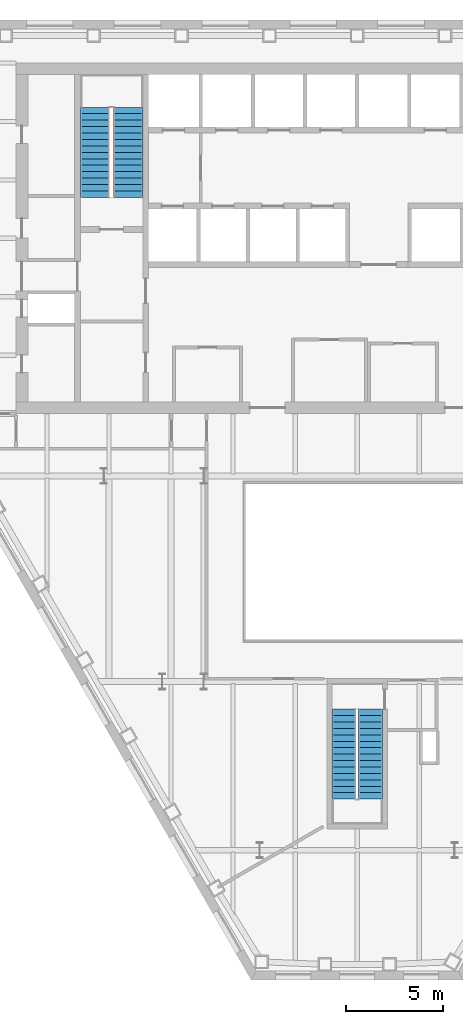
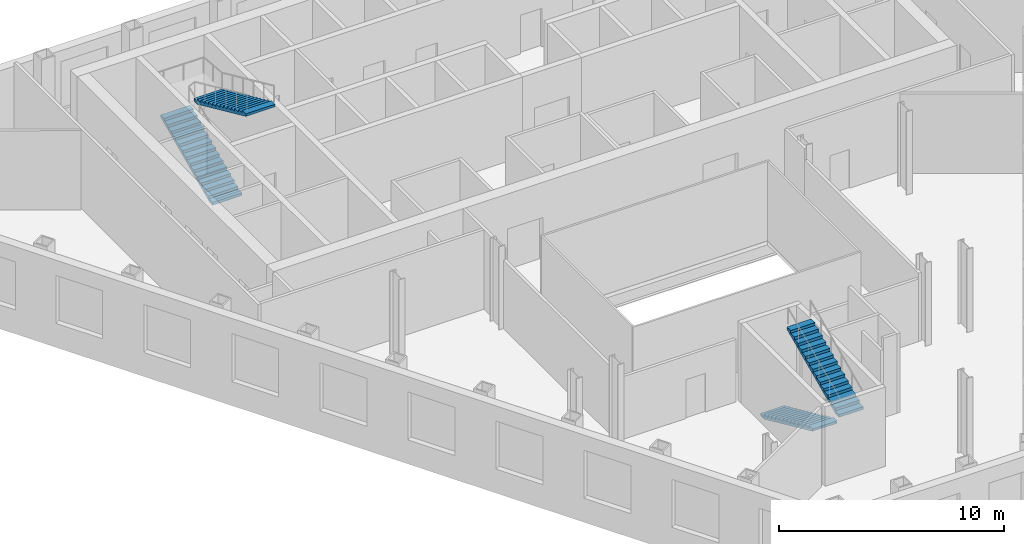
# One storey, part 8 of 10: 4 stair flights, 2 elements without a shape of their own.
"""IFC4 building model written with IfcOpenShell, lengths in metres."""

from ifc_helpers import new_model, si_unit, direction, frame, origin, place, context, subcontext, project, spatial, polygons, material, type_object, element, aggregate, save


model = new_model("IFC4")

# Units and contexts
model_context = context("Model", 3, precision=1e-05, world=origin(), true_north=direction((0.0, 1.0)))
body_context = subcontext(model_context, "Body", "Model", "MODEL_VIEW")
ifc_project = project(units=[si_unit("LENGTHUNIT", "METRE"), si_unit("AREAUNIT", "SQUARE_METRE"), si_unit("VOLUMEUNIT", "CUBIC_METRE"), si_unit("PLANEANGLEUNIT", "RADIAN"), si_unit("MASSUNIT", "GRAM", prefix="KILO")], contexts=[model_context])

# Site, building, storey
site_placement = place(None, origin())
site = spatial("IfcSite", under=ifc_project, at=site_placement, CompositionType="ELEMENT")
building_placement = place(site_placement, origin())
building = spatial("IfcBuilding", under=site, at=building_placement, Name="Njiva Tower", CompositionType="ELEMENT")
storey_placement = place(building_placement, frame((0.0, 0.0, 73.8)))
storey = spatial("IfcBuildingStorey", under=building, at=storey_placement, Name="L15", CompositionType="ELEMENT", Elevation=73.8)

# Stair, stair flights
ifc_material = material(Name="Concrete C40/50", Category="concrete")
stair_type_1 = type_object("IfcStairType", Name="ST1 Exit stair 1250", PredefinedType="HALF_TURN_STAIR", material=ifc_material)
stair_1_placement = place(storey_placement, origin())
stair_1 = element("IfcStair", 1, at=stair_1_placement, inside=storey, type_object=stair_type_1, Name="Stair C", PredefinedType="HALF_TURN_STAIR")
stair_flight_type_1 = type_object("IfcStairFlightType", Name="FL1 Stair flight 1250", PredefinedType="STRAIGHT", material=ifc_material)
stair_flight_1_placement = place(storey_placement, frame((-0.675, -15.16, 0.0), z_axis=(0.0, 0.0, 1.0), x_axis=(0.0, -1.0, 0.0)))
stair_flight_1 = element("IfcStairFlight", 2, at=stair_flight_1_placement, type_object=stair_flight_type_1, Name="ST-C flight 1", NumberOfRisers=15, NumberOfTreads=14, PredefinedType="STRAIGHT", RiserHeight=0.15, TreadLength=0.33, context=body_context, shape_type="Tessellation", body=[
    polygons([(0.0, 0.625, 0.0), (0.0, 0.3125, 0.0), (0.0, 0.0, 0.0), (0.0, -0.3125, 0.0), (0.0, -0.625, 0.0), (0.0, 0.625, 0.15), (0.0, 0.3125, 0.15), (0.0, 0.0, 0.15), (0.0, -0.3125, 0.15), (0.0, -0.625, 0.15), (0.33, 0.625, 0.15), (0.33, 0.3125, 0.15), (0.33, 0.0, 0.15), (0.33, -0.3125, 0.15), (0.33, -0.625, 0.15), (0.33, 0.625, 0.3), (0.33, 0.3125, 0.3), (0.33, 0.0, 0.3), (0.33, -0.3125, 0.3), (0.33, -0.625, 0.3), (0.66, 0.625, 0.3), (0.66, 0.3125, 0.3), (0.66, 0.0, 0.3), (0.66, -0.3125, 0.3), (0.66, -0.625, 0.3), (0.66, 0.625, 0.45), (0.66, 0.3125, 0.45), (0.66, 0.0, 0.45), (0.66, -0.3125, 0.45), (0.66, -0.625, 0.45), (0.99, 0.625, 0.45), (0.99, 0.3125, 0.45), (0.99, 0.0, 0.45), (0.99, -0.3125, 0.45), (0.99, -0.625, 0.45), (0.99, 0.625, 0.6), (0.99, 0.3125, 0.6), (0.99, 0.0, 0.6), (0.99, -0.3125, 0.6), (0.99, -0.625, 0.6), (1.32, 0.625, 0.6), (1.32, 0.3125, 0.6), (1.32, 0.0, 0.6), (1.32, -0.3125, 0.6), (1.32, -0.625, 0.6), (1.32, 0.625, 0.75), (1.32, 0.3125, 0.75), (1.32, 0.0, 0.75), (1.32, -0.3125, 0.75), (1.32, -0.625, 0.75), (1.65, 0.625, 0.75), (1.65, 0.3125, 0.75), (1.65, 0.0, 0.75), (1.65, -0.3125, 0.75), (1.65, -0.625, 0.75), (1.65, 0.625, 0.9), (1.65, 0.3125, 0.9), (1.65, 0.0, 0.9), (1.65, -0.3125, 0.9), (1.65, -0.625, 0.9), (1.98, 0.625, 0.9), (1.98, 0.3125, 0.9), (1.98, 0.0, 0.9), (1.98, -0.3125, 0.9), (1.98, -0.625, 0.9), (1.98, 0.625, 1.05), (1.98, 0.3125, 1.05), (1.98, 0.0, 1.05), (1.98, -0.3125, 1.05), (1.98, -0.625, 1.05), (2.31, 0.625, 1.05), (2.31, 0.3125, 1.05), (2.31, 0.0, 1.05), (2.31, -0.3125, 1.05), (2.31, -0.625, 1.05), (2.31, 0.625, 1.2), (2.31, 0.3125, 1.2), (2.31, 0.0, 1.2), (2.31, -0.3125, 1.2), (2.31, -0.625, 1.2), (2.64, 0.625, 1.2), (2.64, 0.3125, 1.2), (2.64, 0.0, 1.2), (2.64, -0.3125, 1.2), (2.64, -0.625, 1.2), (2.64, 0.625, 1.35), (2.64, 0.3125, 1.35), (2.64, 0.0, 1.35), (2.64, -0.3125, 1.35), (2.64, -0.625, 1.35), (2.97, 0.625, 1.35), (2.97, 0.3125, 1.35), (2.97, 0.0, 1.35), (2.97, -0.3125, 1.35), (2.97, -0.625, 1.35), (2.97, 0.625, 1.5), (2.97, 0.3125, 1.5), (2.97, 0.0, 1.5), (2.97, -0.3125, 1.5), (2.97, -0.625, 1.5), (3.3, 0.625, 1.5), (3.3, 0.3125, 1.5), (3.3, 0.0, 1.5), (3.3, -0.3125, 1.5), (3.3, -0.625, 1.5), (3.3, 0.625, 1.65), (3.3, 0.3125, 1.65), (3.3, 0.0, 1.65), (3.3, -0.3125, 1.65), (3.3, -0.625, 1.65), (3.63, 0.625, 1.65), (3.63, 0.3125, 1.65), (3.63, 0.0, 1.65), (3.63, -0.3125, 1.65), (3.63, -0.625, 1.65), (3.63, 0.625, 1.8), (3.63, 0.3125, 1.8), (3.63, 0.0, 1.8), (3.63, -0.3125, 1.8), (3.63, -0.625, 1.8), (3.96, 0.625, 1.8), (3.96, 0.3125, 1.8), (3.96, 0.0, 1.8), (3.96, -0.3125, 1.8), (3.96, -0.625, 1.8), (3.96, 0.625, 1.95), (3.96, 0.3125, 1.95), (3.96, 0.0, 1.95), (3.96, -0.3125, 1.95), (3.96, -0.625, 1.95), (4.29, 0.625, 1.95), (4.29, 0.3125, 1.95), (4.29, 0.0, 1.95), (4.29, -0.3125, 1.95), (4.29, -0.625, 1.95), (4.29, 0.625, 2.1), (4.29, 0.3125, 2.1), (4.29, 0.0, 2.1), (4.29, -0.3125, 2.1), (4.29, -0.625, 2.1), (4.62, 0.625, 2.1), (4.62, 0.3125, 2.1), (4.62, 0.0, 2.1), (4.62, -0.3125, 2.1), (4.62, -0.625, 2.1), (4.62, 0.625, 1.9682), (4.62, 0.3125, 1.9682), (4.62, 0.0, 1.9682), (4.62, -0.3125, 1.9682), (4.62, -0.625, 1.9682), (0.29, 0.625, 0.0), (0.29, 0.3125, 0.0), (0.29, 0.0, 0.0), (0.29, -0.3125, 0.0), (0.29, -0.625, 0.0)], [[[1, 6, 11, 16, 21, 26, 31, 36, 41, 46, 51, 56, 61, 66, 71, 76, 81, 86, 91, 96, 101, 106, 111, 116, 121, 126, 131, 136, 141, 146, 151]], [[155, 150, 145, 140, 135, 130, 125, 120, 115, 110, 105, 100, 95, 90, 85, 80, 75, 70, 65, 60, 55, 50, 45, 40, 35, 30, 25, 20, 15, 10, 5]], [[6, 1, 2, 7]], [[7, 2, 3, 8]], [[8, 3, 4, 9]], [[9, 4, 5, 10]], [[11, 6, 7, 12]], [[12, 7, 8, 13]], [[13, 8, 9, 14]], [[14, 9, 10, 15]], [[16, 11, 12, 17]], [[17, 12, 13, 18]], [[18, 13, 14, 19]], [[19, 14, 15, 20]], [[21, 16, 17, 22]], [[22, 17, 18, 23]], [[23, 18, 19, 24]], [[24, 19, 20, 25]], [[26, 21, 22, 27]], [[27, 22, 23, 28]], [[28, 23, 24, 29]], [[29, 24, 25, 30]], [[31, 26, 27, 32]], [[32, 27, 28, 33]], [[33, 28, 29, 34]], [[34, 29, 30, 35]], [[36, 31, 32, 37]], [[37, 32, 33, 38]], [[38, 33, 34, 39]], [[39, 34, 35, 40]], [[41, 36, 37, 42]], [[42, 37, 38, 43]], [[43, 38, 39, 44]], [[44, 39, 40, 45]], [[46, 41, 42, 47]], [[47, 42, 43, 48]], [[48, 43, 44, 49]], [[49, 44, 45, 50]], [[51, 46, 47, 52]], [[52, 47, 48, 53]], [[53, 48, 49, 54]], [[54, 49, 50, 55]], [[56, 51, 52, 57]], [[57, 52, 53, 58]], [[58, 53, 54, 59]], [[59, 54, 55, 60]], [[61, 56, 57, 62]], [[62, 57, 58, 63]], [[63, 58, 59, 64]], [[64, 59, 60, 65]], [[66, 61, 62, 67]], [[67, 62, 63, 68]], [[68, 63, 64, 69]], [[69, 64, 65, 70]], [[71, 66, 67, 72]], [[72, 67, 68, 73]], [[73, 68, 69, 74]], [[74, 69, 70, 75]], [[76, 71, 72, 77]], [[77, 72, 73, 78]], [[78, 73, 74, 79]], [[79, 74, 75, 80]], [[81, 76, 77, 82]], [[82, 77, 78, 83]], [[83, 78, 79, 84]], [[84, 79, 80, 85]], [[86, 81, 82, 87]], [[87, 82, 83, 88]], [[88, 83, 84, 89]], [[89, 84, 85, 90]], [[91, 86, 87, 92]], [[92, 87, 88, 93]], [[93, 88, 89, 94]], [[94, 89, 90, 95]], [[96, 91, 92, 97]], [[97, 92, 93, 98]], [[98, 93, 94, 99]], [[99, 94, 95, 100]], [[101, 96, 97, 102]], [[102, 97, 98, 103]], [[103, 98, 99, 104]], [[104, 99, 100, 105]], [[106, 101, 102, 107]], [[107, 102, 103, 108]], [[108, 103, 104, 109]], [[109, 104, 105, 110]], [[111, 106, 107, 112]], [[112, 107, 108, 113]], [[113, 108, 109, 114]], [[114, 109, 110, 115]], [[116, 111, 112, 117]], [[117, 112, 113, 118]], [[118, 113, 114, 119]], [[119, 114, 115, 120]], [[121, 116, 117, 122]], [[122, 117, 118, 123]], [[123, 118, 119, 124]], [[124, 119, 120, 125]], [[126, 121, 122, 127]], [[127, 122, 123, 128]], [[128, 123, 124, 129]], [[129, 124, 125, 130]], [[131, 126, 127, 132]], [[132, 127, 128, 133]], [[133, 128, 129, 134]], [[134, 129, 130, 135]], [[136, 131, 132, 137]], [[137, 132, 133, 138]], [[138, 133, 134, 139]], [[139, 134, 135, 140]], [[141, 136, 137, 142]], [[142, 137, 138, 143]], [[143, 138, 139, 144]], [[144, 139, 140, 145]], [[146, 141, 142, 147]], [[147, 142, 143, 148]], [[148, 143, 144, 149]], [[149, 144, 145, 150]], [[151, 146, 147, 152]], [[152, 147, 148, 153]], [[153, 148, 149, 154]], [[154, 149, 150, 155]], [[1, 151, 152, 2]], [[2, 152, 153, 3]], [[3, 153, 154, 4]], [[4, 154, 155, 5]]], closed=True),
])
stair_flight_2_placement = place(storey_placement, frame((0.675, -19.78, 2.25), z_axis=(0.0, 0.0, 1.0), x_axis=(0.0, 1.0, 0.0)))
stair_flight_2 = element("IfcStairFlight", 3, at=stair_flight_2_placement, type_object=stair_flight_type_1, Name="ST-C flight 2", NumberOfRisers=15, NumberOfTreads=14, PredefinedType="STRAIGHT", RiserHeight=0.15, TreadLength=0.33, context=body_context, shape_type="Tessellation", body=[
    polygons([(0.0, 0.625, 0.0), (0.0, 0.3125, 0.0), (0.0, 0.0, 0.0), (0.0, -0.3125, 0.0), (0.0, -0.625, 0.0), (0.0, 0.625, 0.15), (0.0, 0.3125, 0.15), (0.0, 0.0, 0.15), (0.0, -0.3125, 0.15), (0.0, -0.625, 0.15), (0.33, 0.625, 0.15), (0.33, 0.3125, 0.15), (0.33, 0.0, 0.15), (0.33, -0.3125, 0.15), (0.33, -0.625, 0.15), (0.33, 0.625, 0.3), (0.33, 0.3125, 0.3), (0.33, 0.0, 0.3), (0.33, -0.3125, 0.3), (0.33, -0.625, 0.3), (0.66, 0.625, 0.3), (0.66, 0.3125, 0.3), (0.66, 0.0, 0.3), (0.66, -0.3125, 0.3), (0.66, -0.625, 0.3), (0.66, 0.625, 0.45), (0.66, 0.3125, 0.45), (0.66, 0.0, 0.45), (0.66, -0.3125, 0.45), (0.66, -0.625, 0.45), (0.99, 0.625, 0.45), (0.99, 0.3125, 0.45), (0.99, 0.0, 0.45), (0.99, -0.3125, 0.45), (0.99, -0.625, 0.45), (0.99, 0.625, 0.6), (0.99, 0.3125, 0.6), (0.99, 0.0, 0.6), (0.99, -0.3125, 0.6), (0.99, -0.625, 0.6), (1.32, 0.625, 0.6), (1.32, 0.3125, 0.6), (1.32, 0.0, 0.6), (1.32, -0.3125, 0.6), (1.32, -0.625, 0.6), (1.32, 0.625, 0.75), (1.32, 0.3125, 0.75), (1.32, 0.0, 0.75), (1.32, -0.3125, 0.75), (1.32, -0.625, 0.75), (1.65, 0.625, 0.75), (1.65, 0.3125, 0.75), (1.65, 0.0, 0.75), (1.65, -0.3125, 0.75), (1.65, -0.625, 0.75), (1.65, 0.625, 0.9), (1.65, 0.3125, 0.9), (1.65, 0.0, 0.9), (1.65, -0.3125, 0.9), (1.65, -0.625, 0.9), (1.98, 0.625, 0.9), (1.98, 0.3125, 0.9), (1.98, 0.0, 0.9), (1.98, -0.3125, 0.9), (1.98, -0.625, 0.9), (1.98, 0.625, 1.05), (1.98, 0.3125, 1.05), (1.98, 0.0, 1.05), (1.98, -0.3125, 1.05), (1.98, -0.625, 1.05), (2.31, 0.625, 1.05), (2.31, 0.3125, 1.05), (2.31, 0.0, 1.05), (2.31, -0.3125, 1.05), (2.31, -0.625, 1.05), (2.31, 0.625, 1.2), (2.31, 0.3125, 1.2), (2.31, 0.0, 1.2), (2.31, -0.3125, 1.2), (2.31, -0.625, 1.2), (2.64, 0.625, 1.2), (2.64, 0.3125, 1.2), (2.64, 0.0, 1.2), (2.64, -0.3125, 1.2), (2.64, -0.625, 1.2), (2.64, 0.625, 1.35), (2.64, 0.3125, 1.35), (2.64, 0.0, 1.35), (2.64, -0.3125, 1.35), (2.64, -0.625, 1.35), (2.97, 0.625, 1.35), (2.97, 0.3125, 1.35), (2.97, 0.0, 1.35), (2.97, -0.3125, 1.35), (2.97, -0.625, 1.35), (2.97, 0.625, 1.5), (2.97, 0.3125, 1.5), (2.97, 0.0, 1.5), (2.97, -0.3125, 1.5), (2.97, -0.625, 1.5), (3.3, 0.625, 1.5), (3.3, 0.3125, 1.5), (3.3, 0.0, 1.5), (3.3, -0.3125, 1.5), (3.3, -0.625, 1.5), (3.3, 0.625, 1.65), (3.3, 0.3125, 1.65), (3.3, 0.0, 1.65), (3.3, -0.3125, 1.65), (3.3, -0.625, 1.65), (3.63, 0.625, 1.65), (3.63, 0.3125, 1.65), (3.63, 0.0, 1.65), (3.63, -0.3125, 1.65), (3.63, -0.625, 1.65), (3.63, 0.625, 1.8), (3.63, 0.3125, 1.8), (3.63, 0.0, 1.8), (3.63, -0.3125, 1.8), (3.63, -0.625, 1.8), (3.96, 0.625, 1.8), (3.96, 0.3125, 1.8), (3.96, 0.0, 1.8), (3.96, -0.3125, 1.8), (3.96, -0.625, 1.8), (3.96, 0.625, 1.95), (3.96, 0.3125, 1.95), (3.96, 0.0, 1.95), (3.96, -0.3125, 1.95), (3.96, -0.625, 1.95), (4.29, 0.625, 1.95), (4.29, 0.3125, 1.95), (4.29, 0.0, 1.95), (4.29, -0.3125, 1.95), (4.29, -0.625, 1.95), (4.29, 0.625, 2.1), (4.29, 0.3125, 2.1), (4.29, 0.0, 2.1), (4.29, -0.3125, 2.1), (4.29, -0.625, 2.1), (4.62, 0.625, 2.1), (4.62, 0.3125, 2.1), (4.62, 0.0, 2.1), (4.62, -0.3125, 2.1), (4.62, -0.625, 2.1), (4.62, 0.625, 1.9682), (4.62, 0.3125, 1.9682), (4.62, 0.0, 1.9682), (4.62, -0.3125, 1.9682), (4.62, -0.625, 1.9682), (0.29, 0.625, 0.0), (0.29, 0.3125, 0.0), (0.29, 0.0, 0.0), (0.29, -0.3125, 0.0), (0.29, -0.625, 0.0)], [[[1, 6, 11, 16, 21, 26, 31, 36, 41, 46, 51, 56, 61, 66, 71, 76, 81, 86, 91, 96, 101, 106, 111, 116, 121, 126, 131, 136, 141, 146, 151]], [[155, 150, 145, 140, 135, 130, 125, 120, 115, 110, 105, 100, 95, 90, 85, 80, 75, 70, 65, 60, 55, 50, 45, 40, 35, 30, 25, 20, 15, 10, 5]], [[6, 1, 2, 7]], [[7, 2, 3, 8]], [[8, 3, 4, 9]], [[9, 4, 5, 10]], [[11, 6, 7, 12]], [[12, 7, 8, 13]], [[13, 8, 9, 14]], [[14, 9, 10, 15]], [[16, 11, 12, 17]], [[17, 12, 13, 18]], [[18, 13, 14, 19]], [[19, 14, 15, 20]], [[21, 16, 17, 22]], [[22, 17, 18, 23]], [[23, 18, 19, 24]], [[24, 19, 20, 25]], [[26, 21, 22, 27]], [[27, 22, 23, 28]], [[28, 23, 24, 29]], [[29, 24, 25, 30]], [[31, 26, 27, 32]], [[32, 27, 28, 33]], [[33, 28, 29, 34]], [[34, 29, 30, 35]], [[36, 31, 32, 37]], [[37, 32, 33, 38]], [[38, 33, 34, 39]], [[39, 34, 35, 40]], [[41, 36, 37, 42]], [[42, 37, 38, 43]], [[43, 38, 39, 44]], [[44, 39, 40, 45]], [[46, 41, 42, 47]], [[47, 42, 43, 48]], [[48, 43, 44, 49]], [[49, 44, 45, 50]], [[51, 46, 47, 52]], [[52, 47, 48, 53]], [[53, 48, 49, 54]], [[54, 49, 50, 55]], [[56, 51, 52, 57]], [[57, 52, 53, 58]], [[58, 53, 54, 59]], [[59, 54, 55, 60]], [[61, 56, 57, 62]], [[62, 57, 58, 63]], [[63, 58, 59, 64]], [[64, 59, 60, 65]], [[66, 61, 62, 67]], [[67, 62, 63, 68]], [[68, 63, 64, 69]], [[69, 64, 65, 70]], [[71, 66, 67, 72]], [[72, 67, 68, 73]], [[73, 68, 69, 74]], [[74, 69, 70, 75]], [[76, 71, 72, 77]], [[77, 72, 73, 78]], [[78, 73, 74, 79]], [[79, 74, 75, 80]], [[81, 76, 77, 82]], [[82, 77, 78, 83]], [[83, 78, 79, 84]], [[84, 79, 80, 85]], [[86, 81, 82, 87]], [[87, 82, 83, 88]], [[88, 83, 84, 89]], [[89, 84, 85, 90]], [[91, 86, 87, 92]], [[92, 87, 88, 93]], [[93, 88, 89, 94]], [[94, 89, 90, 95]], [[96, 91, 92, 97]], [[97, 92, 93, 98]], [[98, 93, 94, 99]], [[99, 94, 95, 100]], [[101, 96, 97, 102]], [[102, 97, 98, 103]], [[103, 98, 99, 104]], [[104, 99, 100, 105]], [[106, 101, 102, 107]], [[107, 102, 103, 108]], [[108, 103, 104, 109]], [[109, 104, 105, 110]], [[111, 106, 107, 112]], [[112, 107, 108, 113]], [[113, 108, 109, 114]], [[114, 109, 110, 115]], [[116, 111, 112, 117]], [[117, 112, 113, 118]], [[118, 113, 114, 119]], [[119, 114, 115, 120]], [[121, 116, 117, 122]], [[122, 117, 118, 123]], [[123, 118, 119, 124]], [[124, 119, 120, 125]], [[126, 121, 122, 127]], [[127, 122, 123, 128]], [[128, 123, 124, 129]], [[129, 124, 125, 130]], [[131, 126, 127, 132]], [[132, 127, 128, 133]], [[133, 128, 129, 134]], [[134, 129, 130, 135]], [[136, 131, 132, 137]], [[137, 132, 133, 138]], [[138, 133, 134, 139]], [[139, 134, 135, 140]], [[141, 136, 137, 142]], [[142, 137, 138, 143]], [[143, 138, 139, 144]], [[144, 139, 140, 145]], [[146, 141, 142, 147]], [[147, 142, 143, 148]], [[148, 143, 144, 149]], [[149, 144, 145, 150]], [[151, 146, 147, 152]], [[152, 147, 148, 153]], [[153, 148, 149, 154]], [[154, 149, 150, 155]], [[1, 151, 152, 2]], [[2, 152, 153, 3]], [[3, 153, 154, 4]], [[4, 154, 155, 5]]], closed=True),
])
aggregate(stair_1, [stair_flight_1, stair_flight_2])

stair_type_2 = type_object("IfcStairType", Name="ST4 Exit stair 1500", PredefinedType="HALF_TURN_STAIR", material=ifc_material)
stair_2_placement = place(storey_placement, origin())
stair_2 = element("IfcStair", 4, at=stair_2_placement, inside=storey, type_object=stair_type_2, Name="Stair A", PredefinedType="HALF_TURN_STAIR")
stair_flight_type_2 = type_object("IfcStairFlightType", Name="FL4 Stair flight 1500", PredefinedType="STRAIGHT", material=ifc_material)
stair_flight_3_placement = place(storey_placement, frame((-13.45, 11.1, 0.0), z_axis=(0.0, 0.0, 1.0), x_axis=(0.0, 1.0, 0.0)))
stair_flight_3 = element("IfcStairFlight", 5, at=stair_flight_3_placement, type_object=stair_flight_type_2, Name="ST-A flight 1", NumberOfRisers=15, NumberOfTreads=14, PredefinedType="STRAIGHT", RiserHeight=0.15, TreadLength=0.33, context=body_context, shape_type="Tessellation", body=[
    polygons([(0.0, 0.75, 0.0), (0.0, 0.375, 0.0), (0.0, 0.0, 0.0), (0.0, -0.375, 0.0), (0.0, -0.75, 0.0), (0.0, 0.75, 0.15), (0.0, 0.375, 0.15), (0.0, 0.0, 0.15), (0.0, -0.375, 0.15), (0.0, -0.75, 0.15), (0.33, 0.75, 0.15), (0.33, 0.375, 0.15), (0.33, 0.0, 0.15), (0.33, -0.375, 0.15), (0.33, -0.75, 0.15), (0.33, 0.75, 0.3), (0.33, 0.375, 0.3), (0.33, 0.0, 0.3), (0.33, -0.375, 0.3), (0.33, -0.75, 0.3), (0.66, 0.75, 0.3), (0.66, 0.375, 0.3), (0.66, 0.0, 0.3), (0.66, -0.375, 0.3), (0.66, -0.75, 0.3), (0.66, 0.75, 0.45), (0.66, 0.375, 0.45), (0.66, 0.0, 0.45), (0.66, -0.375, 0.45), (0.66, -0.75, 0.45), (0.99, 0.75, 0.45), (0.99, 0.375, 0.45), (0.99, 0.0, 0.45), (0.99, -0.375, 0.45), (0.99, -0.75, 0.45), (0.99, 0.75, 0.6), (0.99, 0.375, 0.6), (0.99, 0.0, 0.6), (0.99, -0.375, 0.6), (0.99, -0.75, 0.6), (1.32, 0.75, 0.6), (1.32, 0.375, 0.6), (1.32, 0.0, 0.6), (1.32, -0.375, 0.6), (1.32, -0.75, 0.6), (1.32, 0.75, 0.75), (1.32, 0.375, 0.75), (1.32, 0.0, 0.75), (1.32, -0.375, 0.75), (1.32, -0.75, 0.75), (1.65, 0.75, 0.75), (1.65, 0.375, 0.75), (1.65, 0.0, 0.75), (1.65, -0.375, 0.75), (1.65, -0.75, 0.75), (1.65, 0.75, 0.9), (1.65, 0.375, 0.9), (1.65, 0.0, 0.9), (1.65, -0.375, 0.9), (1.65, -0.75, 0.9), (1.98, 0.75, 0.9), (1.98, 0.375, 0.9), (1.98, 0.0, 0.9), (1.98, -0.375, 0.9), (1.98, -0.75, 0.9), (1.98, 0.75, 1.05), (1.98, 0.375, 1.05), (1.98, 0.0, 1.05), (1.98, -0.375, 1.05), (1.98, -0.75, 1.05), (2.31, 0.75, 1.05), (2.31, 0.375, 1.05), (2.31, 0.0, 1.05), (2.31, -0.375, 1.05), (2.31, -0.75, 1.05), (2.31, 0.75, 1.2), (2.31, 0.375, 1.2), (2.31, 0.0, 1.2), (2.31, -0.375, 1.2), (2.31, -0.75, 1.2), (2.64, 0.75, 1.2), (2.64, 0.375, 1.2), (2.64, 0.0, 1.2), (2.64, -0.375, 1.2), (2.64, -0.75, 1.2), (2.64, 0.75, 1.35), (2.64, 0.375, 1.35), (2.64, 0.0, 1.35), (2.64, -0.375, 1.35), (2.64, -0.75, 1.35), (2.97, 0.75, 1.35), (2.97, 0.375, 1.35), (2.97, 0.0, 1.35), (2.97, -0.375, 1.35), (2.97, -0.75, 1.35), (2.97, 0.75, 1.5), (2.97, 0.375, 1.5), (2.97, 0.0, 1.5), (2.97, -0.375, 1.5), (2.97, -0.75, 1.5), (3.3, 0.75, 1.5), (3.3, 0.375, 1.5), (3.3, 0.0, 1.5), (3.3, -0.375, 1.5), (3.3, -0.75, 1.5), (3.3, 0.75, 1.65), (3.3, 0.375, 1.65), (3.3, 0.0, 1.65), (3.3, -0.375, 1.65), (3.3, -0.75, 1.65), (3.63, 0.75, 1.65), (3.63, 0.375, 1.65), (3.63, 0.0, 1.65), (3.63, -0.375, 1.65), (3.63, -0.75, 1.65), (3.63, 0.75, 1.8), (3.63, 0.375, 1.8), (3.63, 0.0, 1.8), (3.63, -0.375, 1.8), (3.63, -0.75, 1.8), (3.96, 0.75, 1.8), (3.96, 0.375, 1.8), (3.96, 0.0, 1.8), (3.96, -0.375, 1.8), (3.96, -0.75, 1.8), (3.96, 0.75, 1.95), (3.96, 0.375, 1.95), (3.96, 0.0, 1.95), (3.96, -0.375, 1.95), (3.96, -0.75, 1.95), (4.29, 0.75, 1.95), (4.29, 0.375, 1.95), (4.29, 0.0, 1.95), (4.29, -0.375, 1.95), (4.29, -0.75, 1.95), (4.29, 0.75, 2.1), (4.29, 0.375, 2.1), (4.29, 0.0, 2.1), (4.29, -0.375, 2.1), (4.29, -0.75, 2.1), (4.62, 0.75, 2.1), (4.62, 0.375, 2.1), (4.62, 0.0, 2.1), (4.62, -0.375, 2.1), (4.62, -0.75, 2.1), (4.62, 0.75, 1.9682), (4.62, 0.375, 1.9682), (4.62, 0.0, 1.9682), (4.62, -0.375, 1.9682), (4.62, -0.75, 1.9682), (0.29, 0.75, 0.0), (0.29, 0.375, 0.0), (0.29, 0.0, 0.0), (0.29, -0.375, 0.0), (0.29, -0.75, 0.0)], [[[1, 6, 11, 16, 21, 26, 31, 36, 41, 46, 51, 56, 61, 66, 71, 76, 81, 86, 91, 96, 101, 106, 111, 116, 121, 126, 131, 136, 141, 146, 151]], [[155, 150, 145, 140, 135, 130, 125, 120, 115, 110, 105, 100, 95, 90, 85, 80, 75, 70, 65, 60, 55, 50, 45, 40, 35, 30, 25, 20, 15, 10, 5]], [[6, 1, 2, 7]], [[7, 2, 3, 8]], [[8, 3, 4, 9]], [[9, 4, 5, 10]], [[11, 6, 7, 12]], [[12, 7, 8, 13]], [[13, 8, 9, 14]], [[14, 9, 10, 15]], [[16, 11, 12, 17]], [[17, 12, 13, 18]], [[18, 13, 14, 19]], [[19, 14, 15, 20]], [[21, 16, 17, 22]], [[22, 17, 18, 23]], [[23, 18, 19, 24]], [[24, 19, 20, 25]], [[26, 21, 22, 27]], [[27, 22, 23, 28]], [[28, 23, 24, 29]], [[29, 24, 25, 30]], [[31, 26, 27, 32]], [[32, 27, 28, 33]], [[33, 28, 29, 34]], [[34, 29, 30, 35]], [[36, 31, 32, 37]], [[37, 32, 33, 38]], [[38, 33, 34, 39]], [[39, 34, 35, 40]], [[41, 36, 37, 42]], [[42, 37, 38, 43]], [[43, 38, 39, 44]], [[44, 39, 40, 45]], [[46, 41, 42, 47]], [[47, 42, 43, 48]], [[48, 43, 44, 49]], [[49, 44, 45, 50]], [[51, 46, 47, 52]], [[52, 47, 48, 53]], [[53, 48, 49, 54]], [[54, 49, 50, 55]], [[56, 51, 52, 57]], [[57, 52, 53, 58]], [[58, 53, 54, 59]], [[59, 54, 55, 60]], [[61, 56, 57, 62]], [[62, 57, 58, 63]], [[63, 58, 59, 64]], [[64, 59, 60, 65]], [[66, 61, 62, 67]], [[67, 62, 63, 68]], [[68, 63, 64, 69]], [[69, 64, 65, 70]], [[71, 66, 67, 72]], [[72, 67, 68, 73]], [[73, 68, 69, 74]], [[74, 69, 70, 75]], [[76, 71, 72, 77]], [[77, 72, 73, 78]], [[78, 73, 74, 79]], [[79, 74, 75, 80]], [[81, 76, 77, 82]], [[82, 77, 78, 83]], [[83, 78, 79, 84]], [[84, 79, 80, 85]], [[86, 81, 82, 87]], [[87, 82, 83, 88]], [[88, 83, 84, 89]], [[89, 84, 85, 90]], [[91, 86, 87, 92]], [[92, 87, 88, 93]], [[93, 88, 89, 94]], [[94, 89, 90, 95]], [[96, 91, 92, 97]], [[97, 92, 93, 98]], [[98, 93, 94, 99]], [[99, 94, 95, 100]], [[101, 96, 97, 102]], [[102, 97, 98, 103]], [[103, 98, 99, 104]], [[104, 99, 100, 105]], [[106, 101, 102, 107]], [[107, 102, 103, 108]], [[108, 103, 104, 109]], [[109, 104, 105, 110]], [[111, 106, 107, 112]], [[112, 107, 108, 113]], [[113, 108, 109, 114]], [[114, 109, 110, 115]], [[116, 111, 112, 117]], [[117, 112, 113, 118]], [[118, 113, 114, 119]], [[119, 114, 115, 120]], [[121, 116, 117, 122]], [[122, 117, 118, 123]], [[123, 118, 119, 124]], [[124, 119, 120, 125]], [[126, 121, 122, 127]], [[127, 122, 123, 128]], [[128, 123, 124, 129]], [[129, 124, 125, 130]], [[131, 126, 127, 132]], [[132, 127, 128, 133]], [[133, 128, 129, 134]], [[134, 129, 130, 135]], [[136, 131, 132, 137]], [[137, 132, 133, 138]], [[138, 133, 134, 139]], [[139, 134, 135, 140]], [[141, 136, 137, 142]], [[142, 137, 138, 143]], [[143, 138, 139, 144]], [[144, 139, 140, 145]], [[146, 141, 142, 147]], [[147, 142, 143, 148]], [[148, 143, 144, 149]], [[149, 144, 145, 150]], [[151, 146, 147, 152]], [[152, 147, 148, 153]], [[153, 148, 149, 154]], [[154, 149, 150, 155]], [[1, 151, 152, 2]], [[2, 152, 153, 3]], [[3, 153, 154, 4]], [[4, 154, 155, 5]]], closed=True),
])
stair_flight_4_placement = place(storey_placement, frame((-11.75, 15.72, 2.25), z_axis=(0.0, 0.0, 1.0), x_axis=(0.0, -1.0, 0.0)))
stair_flight_4 = element("IfcStairFlight", 6, at=stair_flight_4_placement, type_object=stair_flight_type_2, Name="ST-A flight 2", NumberOfRisers=15, NumberOfTreads=14, PredefinedType="STRAIGHT", RiserHeight=0.15, TreadLength=0.33, context=body_context, shape_type="Tessellation", body=[
    polygons([(0.0, 0.75, 0.0), (0.0, 0.375, 0.0), (0.0, 0.0, 0.0), (0.0, -0.375, 0.0), (0.0, -0.75, 0.0), (0.0, 0.75, 0.15), (0.0, 0.375, 0.15), (0.0, 0.0, 0.15), (0.0, -0.375, 0.15), (0.0, -0.75, 0.15), (0.33, 0.75, 0.15), (0.33, 0.375, 0.15), (0.33, 0.0, 0.15), (0.33, -0.375, 0.15), (0.33, -0.75, 0.15), (0.33, 0.75, 0.3), (0.33, 0.375, 0.3), (0.33, 0.0, 0.3), (0.33, -0.375, 0.3), (0.33, -0.75, 0.3), (0.66, 0.75, 0.3), (0.66, 0.375, 0.3), (0.66, 0.0, 0.3), (0.66, -0.375, 0.3), (0.66, -0.75, 0.3), (0.66, 0.75, 0.45), (0.66, 0.375, 0.45), (0.66, 0.0, 0.45), (0.66, -0.375, 0.45), (0.66, -0.75, 0.45), (0.99, 0.75, 0.45), (0.99, 0.375, 0.45), (0.99, 0.0, 0.45), (0.99, -0.375, 0.45), (0.99, -0.75, 0.45), (0.99, 0.75, 0.6), (0.99, 0.375, 0.6), (0.99, 0.0, 0.6), (0.99, -0.375, 0.6), (0.99, -0.75, 0.6), (1.32, 0.75, 0.6), (1.32, 0.375, 0.6), (1.32, 0.0, 0.6), (1.32, -0.375, 0.6), (1.32, -0.75, 0.6), (1.32, 0.75, 0.75), (1.32, 0.375, 0.75), (1.32, 0.0, 0.75), (1.32, -0.375, 0.75), (1.32, -0.75, 0.75), (1.65, 0.75, 0.75), (1.65, 0.375, 0.75), (1.65, 0.0, 0.75), (1.65, -0.375, 0.75), (1.65, -0.75, 0.75), (1.65, 0.75, 0.9), (1.65, 0.375, 0.9), (1.65, 0.0, 0.9), (1.65, -0.375, 0.9), (1.65, -0.75, 0.9), (1.98, 0.75, 0.9), (1.98, 0.375, 0.9), (1.98, 0.0, 0.9), (1.98, -0.375, 0.9), (1.98, -0.75, 0.9), (1.98, 0.75, 1.05), (1.98, 0.375, 1.05), (1.98, 0.0, 1.05), (1.98, -0.375, 1.05), (1.98, -0.75, 1.05), (2.31, 0.75, 1.05), (2.31, 0.375, 1.05), (2.31, 0.0, 1.05), (2.31, -0.375, 1.05), (2.31, -0.75, 1.05), (2.31, 0.75, 1.2), (2.31, 0.375, 1.2), (2.31, 0.0, 1.2), (2.31, -0.375, 1.2), (2.31, -0.75, 1.2), (2.64, 0.75, 1.2), (2.64, 0.375, 1.2), (2.64, 0.0, 1.2), (2.64, -0.375, 1.2), (2.64, -0.75, 1.2), (2.64, 0.75, 1.35), (2.64, 0.375, 1.35), (2.64, 0.0, 1.35), (2.64, -0.375, 1.35), (2.64, -0.75, 1.35), (2.97, 0.75, 1.35), (2.97, 0.375, 1.35), (2.97, 0.0, 1.35), (2.97, -0.375, 1.35), (2.97, -0.75, 1.35), (2.97, 0.75, 1.5), (2.97, 0.375, 1.5), (2.97, 0.0, 1.5), (2.97, -0.375, 1.5), (2.97, -0.75, 1.5), (3.3, 0.75, 1.5), (3.3, 0.375, 1.5), (3.3, 0.0, 1.5), (3.3, -0.375, 1.5), (3.3, -0.75, 1.5), (3.3, 0.75, 1.65), (3.3, 0.375, 1.65), (3.3, 0.0, 1.65), (3.3, -0.375, 1.65), (3.3, -0.75, 1.65), (3.63, 0.75, 1.65), (3.63, 0.375, 1.65), (3.63, 0.0, 1.65), (3.63, -0.375, 1.65), (3.63, -0.75, 1.65), (3.63, 0.75, 1.8), (3.63, 0.375, 1.8), (3.63, 0.0, 1.8), (3.63, -0.375, 1.8), (3.63, -0.75, 1.8), (3.96, 0.75, 1.8), (3.96, 0.375, 1.8), (3.96, 0.0, 1.8), (3.96, -0.375, 1.8), (3.96, -0.75, 1.8), (3.96, 0.75, 1.95), (3.96, 0.375, 1.95), (3.96, 0.0, 1.95), (3.96, -0.375, 1.95), (3.96, -0.75, 1.95), (4.29, 0.75, 1.95), (4.29, 0.375, 1.95), (4.29, 0.0, 1.95), (4.29, -0.375, 1.95), (4.29, -0.75, 1.95), (4.29, 0.75, 2.1), (4.29, 0.375, 2.1), (4.29, 0.0, 2.1), (4.29, -0.375, 2.1), (4.29, -0.75, 2.1), (4.62, 0.75, 2.1), (4.62, 0.375, 2.1), (4.62, 0.0, 2.1), (4.62, -0.375, 2.1), (4.62, -0.75, 2.1), (4.62, 0.75, 1.9682), (4.62, 0.375, 1.9682), (4.62, 0.0, 1.9682), (4.62, -0.375, 1.9682), (4.62, -0.75, 1.9682), (0.29, 0.75, 0.0), (0.29, 0.375, 0.0), (0.29, 0.0, 0.0), (0.29, -0.375, 0.0), (0.29, -0.75, 0.0)], [[[1, 6, 11, 16, 21, 26, 31, 36, 41, 46, 51, 56, 61, 66, 71, 76, 81, 86, 91, 96, 101, 106, 111, 116, 121, 126, 131, 136, 141, 146, 151]], [[155, 150, 145, 140, 135, 130, 125, 120, 115, 110, 105, 100, 95, 90, 85, 80, 75, 70, 65, 60, 55, 50, 45, 40, 35, 30, 25, 20, 15, 10, 5]], [[6, 1, 2, 7]], [[7, 2, 3, 8]], [[8, 3, 4, 9]], [[9, 4, 5, 10]], [[11, 6, 7, 12]], [[12, 7, 8, 13]], [[13, 8, 9, 14]], [[14, 9, 10, 15]], [[16, 11, 12, 17]], [[17, 12, 13, 18]], [[18, 13, 14, 19]], [[19, 14, 15, 20]], [[21, 16, 17, 22]], [[22, 17, 18, 23]], [[23, 18, 19, 24]], [[24, 19, 20, 25]], [[26, 21, 22, 27]], [[27, 22, 23, 28]], [[28, 23, 24, 29]], [[29, 24, 25, 30]], [[31, 26, 27, 32]], [[32, 27, 28, 33]], [[33, 28, 29, 34]], [[34, 29, 30, 35]], [[36, 31, 32, 37]], [[37, 32, 33, 38]], [[38, 33, 34, 39]], [[39, 34, 35, 40]], [[41, 36, 37, 42]], [[42, 37, 38, 43]], [[43, 38, 39, 44]], [[44, 39, 40, 45]], [[46, 41, 42, 47]], [[47, 42, 43, 48]], [[48, 43, 44, 49]], [[49, 44, 45, 50]], [[51, 46, 47, 52]], [[52, 47, 48, 53]], [[53, 48, 49, 54]], [[54, 49, 50, 55]], [[56, 51, 52, 57]], [[57, 52, 53, 58]], [[58, 53, 54, 59]], [[59, 54, 55, 60]], [[61, 56, 57, 62]], [[62, 57, 58, 63]], [[63, 58, 59, 64]], [[64, 59, 60, 65]], [[66, 61, 62, 67]], [[67, 62, 63, 68]], [[68, 63, 64, 69]], [[69, 64, 65, 70]], [[71, 66, 67, 72]], [[72, 67, 68, 73]], [[73, 68, 69, 74]], [[74, 69, 70, 75]], [[76, 71, 72, 77]], [[77, 72, 73, 78]], [[78, 73, 74, 79]], [[79, 74, 75, 80]], [[81, 76, 77, 82]], [[82, 77, 78, 83]], [[83, 78, 79, 84]], [[84, 79, 80, 85]], [[86, 81, 82, 87]], [[87, 82, 83, 88]], [[88, 83, 84, 89]], [[89, 84, 85, 90]], [[91, 86, 87, 92]], [[92, 87, 88, 93]], [[93, 88, 89, 94]], [[94, 89, 90, 95]], [[96, 91, 92, 97]], [[97, 92, 93, 98]], [[98, 93, 94, 99]], [[99, 94, 95, 100]], [[101, 96, 97, 102]], [[102, 97, 98, 103]], [[103, 98, 99, 104]], [[104, 99, 100, 105]], [[106, 101, 102, 107]], [[107, 102, 103, 108]], [[108, 103, 104, 109]], [[109, 104, 105, 110]], [[111, 106, 107, 112]], [[112, 107, 108, 113]], [[113, 108, 109, 114]], [[114, 109, 110, 115]], [[116, 111, 112, 117]], [[117, 112, 113, 118]], [[118, 113, 114, 119]], [[119, 114, 115, 120]], [[121, 116, 117, 122]], [[122, 117, 118, 123]], [[123, 118, 119, 124]], [[124, 119, 120, 125]], [[126, 121, 122, 127]], [[127, 122, 123, 128]], [[128, 123, 124, 129]], [[129, 124, 125, 130]], [[131, 126, 127, 132]], [[132, 127, 128, 133]], [[133, 128, 129, 134]], [[134, 129, 130, 135]], [[136, 131, 132, 137]], [[137, 132, 133, 138]], [[138, 133, 134, 139]], [[139, 134, 135, 140]], [[141, 136, 137, 142]], [[142, 137, 138, 143]], [[143, 138, 139, 144]], [[144, 139, 140, 145]], [[146, 141, 142, 147]], [[147, 142, 143, 148]], [[148, 143, 144, 149]], [[149, 144, 145, 150]], [[151, 146, 147, 152]], [[152, 147, 148, 153]], [[153, 148, 149, 154]], [[154, 149, 150, 155]], [[1, 151, 152, 2]], [[2, 152, 153, 3]], [[3, 153, 154, 4]], [[4, 154, 155, 5]]], closed=True),
])
aggregate(stair_2, [stair_flight_3, stair_flight_4])

save(model, "model.ifc")
